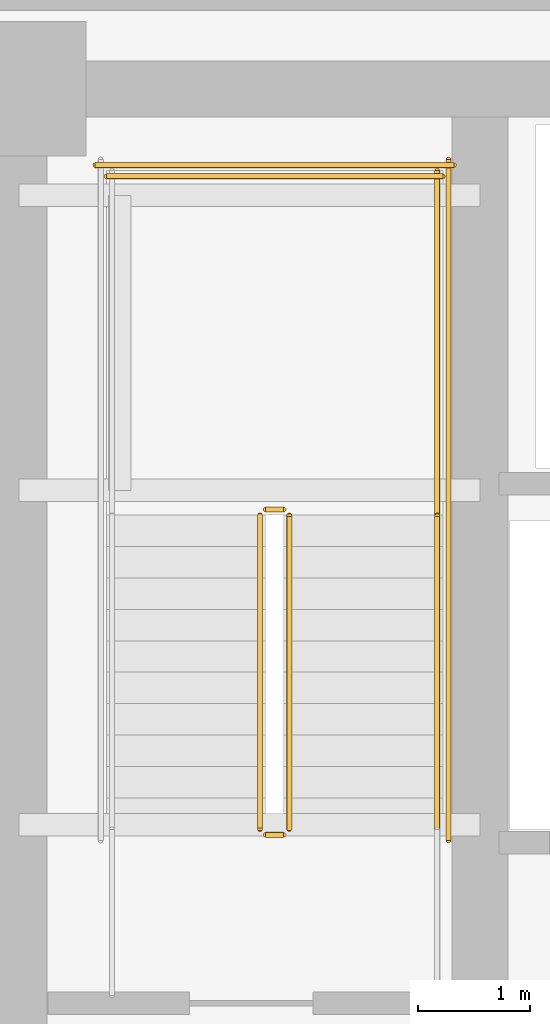
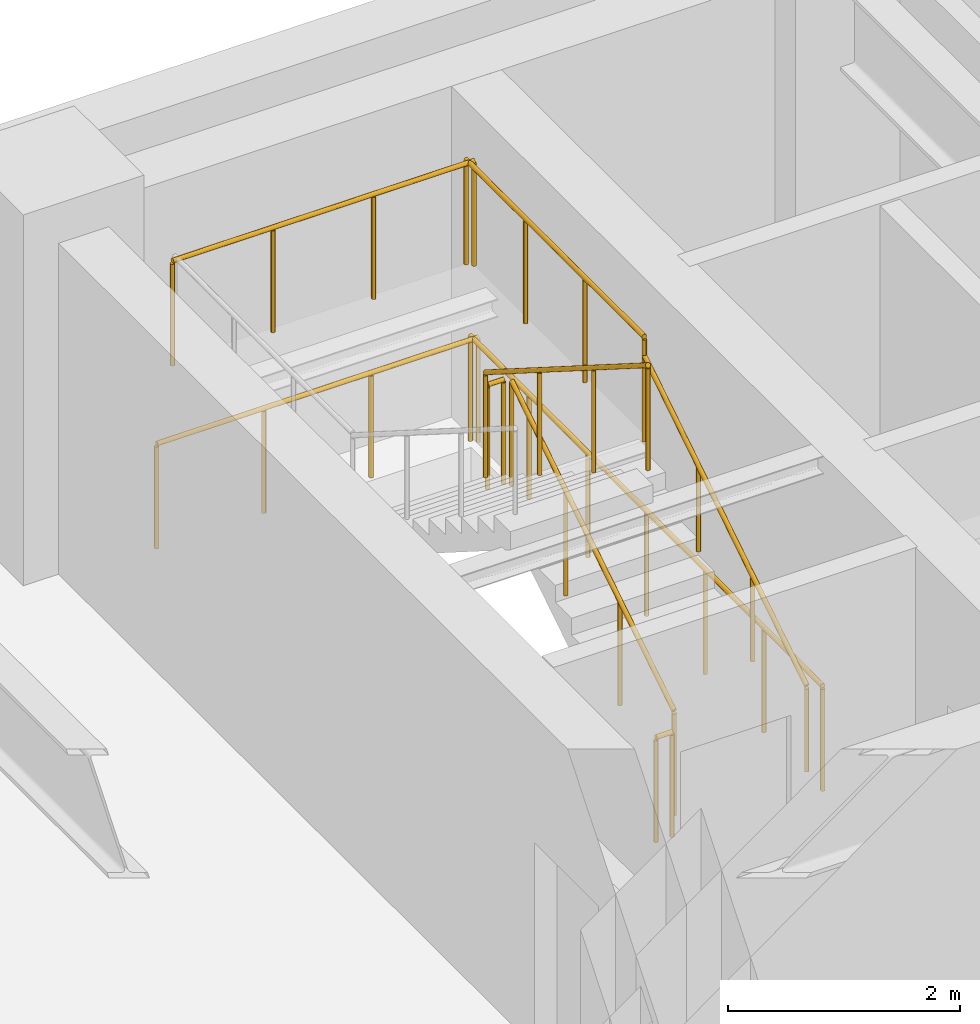
# One storey, part 5 of 7: 9 railings.
"""IFC4 building model written with IfcOpenShell, lengths in metres."""

from ifc_helpers import new_model, si_unit, direction, frame, origin, origin_2d, place, context, subcontext, project, spatial, circle, extrude, material, layer, layer_set, type_object, element, save


model = new_model("IFC4")

# Units and contexts
model_context = context("Model", 3, precision=1e-05, world=origin(), true_north=direction((0.0, 1.0)))
body_context = subcontext(model_context, "Body", "Model", "MODEL_VIEW")
ifc_project = project(units=[si_unit("LENGTHUNIT", "METRE"), si_unit("AREAUNIT", "SQUARE_METRE"), si_unit("VOLUMEUNIT", "CUBIC_METRE"), si_unit("PLANEANGLEUNIT", "RADIAN"), si_unit("MASSUNIT", "GRAM", prefix="KILO")], contexts=[model_context])

# Site, building, storey
site_placement = place(None, origin())
site = spatial("IfcSite", under=ifc_project, at=site_placement, CompositionType="ELEMENT")
building_placement = place(site_placement, origin())
building = spatial("IfcBuilding", under=site, at=building_placement, Name="Yelkora Congress Tower", CompositionType="ELEMENT")
storey_placement = place(building_placement, frame((0.0, 0.0, 85.800048828125)))
storey = spatial("IfcBuildingStorey", under=building, at=storey_placement, Name="L22", CompositionType="ELEMENT", Elevation=85.800048828125)

# Railings
ifc_material_1 = material(Name="Painted galvanised steel stair well guard with vertical infill", Category="steel")
ifc_layer_1 = layer(ifc_material_1, 0.06005859375)
ifc_layer_set_1 = layer_set([ifc_layer_1], Name="Painted galvanised steel stair well guard with vertical infill")
railing_type_1 = type_object("IfcRailingType", Name="RAIL-STAIR-GUARD-1120", PredefinedType="GUARDRAIL", material=ifc_layer_set_1)
railing_1_placement = place(storey_placement, frame((25.449951171875, 39.60009765625, 0.17724609375)))
element("IfcRailing", 1, at=railing_1_placement, inside=storey, type_object=railing_type_1, Name="ST-01 L22 Stair Well Guardrail 1", PredefinedType="GUARDRAIL", context=body_context, shape_type="SweptSolid", body=[
    extrude(circle(Radius=0.02392578125, at=origin_2d()), frame((0.0, 0.0, 1.09619140625), z_axis=(0.0, 0.844887892834, 0.53494340686), x_axis=(-1.0, 0.0, 0.0)), (0.0, 0.0, 1.0), 3.313720703125),
    extrude(circle(Radius=0.02099609375, at=origin_2d()), origin(), (0.0, 0.0, 1.0), 1.072021484375),
    extrude(circle(Radius=0.02099609375, at=origin_2d()), frame((0.0, 0.933349609375, 0.5908203125)), (0.0, 0.0, 1.0), 1.072021484375),
    extrude(circle(Radius=0.02099609375, at=origin_2d()), frame((0.0, 1.866455078125, 1.181884765625)), (0.0, 0.0, 1.0), 1.072021484375),
    extrude(circle(Radius=0.02099609375, at=origin_2d()), frame((0.0, 2.7998046875, 1.772705078125)), (0.0, 0.0, 1.0), 1.072021484375),
])
railing_2_placement = place(storey_placement, frame((25.39990234375, 42.449951171875, 1.949951171875)))
element("IfcRailing", 2, at=railing_2_placement, inside=storey, type_object=railing_type_1, Name="ST-01 L22 Stair Well Guardrail 2", PredefinedType="GUARDRAIL", context=body_context, shape_type="SweptSolid", body=[
    extrude(circle(Radius=0.02392578125, at=origin_2d()), frame((0.0, 0.0, 1.09619140625), z_axis=(-1.0, 0.0, 0.0), x_axis=(0.0, -1.0, 0.0)), (0.0, 0.0, 1.0), 0.159912109375),
    extrude(circle(Radius=0.02099609375, at=origin_2d()), origin(), (0.0, 0.0, 1.0), 1.072021484375),
    extrude(circle(Radius=0.02099609375, at=origin_2d()), frame((-0.159912109375, 0.0, 0.0)), (0.0, 0.0, 1.0), 1.072021484375),
])
railing_3_placement = place(storey_placement, frame((26.77001953125, 42.39990234375, 1.949951171875)))
element("IfcRailing", 3, at=railing_3_placement, inside=storey, type_object=railing_type_1, Name="ST-01 L22 Stair Well Guardrail 3", PredefinedType="GUARDRAIL", context=body_context, shape_type="SweptSolid", body=[
    extrude(circle(Radius=0.02392578125, at=origin_2d()), frame((0.0, 0.0, 1.09619140625), z_axis=(0.0, 1.0, 0.0), x_axis=(-1.0, 0.0, 0.0)), (0.0, 0.0, 1.0), 3.070068359375),
    extrude(circle(Radius=0.02099609375, at=origin_2d()), origin(), (0.0, 0.0, 1.0), 1.072021484375),
    extrude(circle(Radius=0.02099609375, at=origin_2d()), frame((0.0, 1.0234375, 0.0)), (0.0, 0.0, 1.0), 1.072021484375),
    extrude(circle(Radius=0.02099609375, at=origin_2d()), frame((0.0, 2.046630859375, 0.0)), (0.0, 0.0, 1.0), 1.072021484375),
    extrude(circle(Radius=0.02099609375, at=origin_2d()), frame((0.0, 3.070068359375, 0.0)), (0.0, 0.0, 1.0), 1.072021484375),
])
railing_4_placement = place(storey_placement, frame((26.820068359375, 45.419921875, 1.949951171875)))
element("IfcRailing", 4, at=railing_4_placement, inside=storey, type_object=railing_type_1, Name="ST-01 L22 Stair Well Guardrail 5", PredefinedType="GUARDRAIL", context=body_context, shape_type="SweptSolid", body=[
    extrude(circle(Radius=0.02392578125, at=origin_2d()), frame((0.0, 0.0, 1.09619140625), z_axis=(-1.0, 0.0, 0.0), x_axis=(0.0, -1.0, 0.0)), (0.0, 0.0, 1.0), 3.0),
    extrude(circle(Radius=0.02099609375, at=origin_2d()), origin(), (0.0, 0.0, 1.0), 1.072021484375),
    extrude(circle(Radius=0.02099609375, at=origin_2d()), frame((-1.0, 0.0, 0.0)), (0.0, 0.0, 1.0), 1.072021484375),
    extrude(circle(Radius=0.02099609375, at=origin_2d()), frame((-2.0, 0.0, 0.0)), (0.0, 0.0, 1.0), 1.072021484375),
    extrude(circle(Radius=0.02099609375, at=origin_2d()), frame((-3.0, 0.0, 0.0)), (0.0, 0.0, 1.0), 1.072021484375),
])
railing_5_placement = place(storey_placement, frame((25.18994140625, 42.39990234375, 2.127197265625)))
element("IfcRailing", 5, at=railing_5_placement, inside=storey, type_object=railing_type_1, Name="ST-01 L22 Stair Well Guardrail 6", PredefinedType="GUARDRAIL", context=body_context, shape_type="SweptSolid", body=[
    extrude(circle(Radius=0.02392578125, at=origin_2d()), frame((0.0, 0.0, 1.09619140625), z_axis=(0.0, -0.844887892834, 0.53494340686), x_axis=(1.0, 0.0, 0.0)), (0.0, 0.0, 1.0), 3.313720703125),
    extrude(circle(Radius=0.02099609375, at=origin_2d()), origin(), (0.0, 0.0, 1.0), 1.072021484375),
    extrude(circle(Radius=0.02099609375, at=origin_2d()), frame((0.0, -0.933349609375, 0.5908203125)), (0.0, 0.0, 1.0), 1.072021484375),
    extrude(circle(Radius=0.02099609375, at=origin_2d()), frame((0.0, -1.866455078125, 1.181884765625)), (0.0, 0.0, 1.0), 1.072021484375),
    extrude(circle(Radius=0.02099609375, at=origin_2d()), frame((0.0, -2.7998046875, 1.772705078125)), (0.0, 0.0, 1.0), 1.072021484375),
])
railing_6_placement = place(storey_placement, frame((25.39990234375, 39.550048828125, 0.0)))
element("IfcRailing", 6, at=railing_6_placement, inside=storey, type_object=railing_type_1, Name="ST-01 L22 Stair Well Guardrail 7", PredefinedType="GUARDRAIL", context=body_context, shape_type="SweptSolid", body=[
    extrude(circle(Radius=0.02392578125, at=origin_2d()), frame((0.0, 0.0, 1.09619140625), z_axis=(-1.0, 0.0, 0.0), x_axis=(0.0, -1.0, 0.0)), (0.0, 0.0, 1.0), 0.159912109375),
    extrude(circle(Radius=0.02099609375, at=origin_2d()), origin(), (0.0, 0.0, 1.0), 1.072021484375),
    extrude(circle(Radius=0.02099609375, at=origin_2d()), frame((-0.159912109375, 0.0, 0.0)), (0.0, 0.0, 1.0), 1.072021484375),
])
railing_7_placement = place(storey_placement, frame((26.8701171875, 39.5, 0.0)))
element("IfcRailing", 7, at=railing_7_placement, inside=storey, type_object=railing_type_1, Name="ST-01 L22 Stair Well Guardrail 10", PredefinedType="GUARDRAIL", context=body_context, shape_type="SweptSolid", body=[
    extrude(circle(Radius=0.02392578125, at=origin_2d()), frame((0.0, 0.0, 1.09619140625), z_axis=(0.0, 1.0, 0.0), x_axis=(-1.0, 0.0, 0.0)), (0.0, 0.0, 1.0), 6.070068359375),
    extrude(circle(Radius=0.02099609375, at=origin_2d()), origin(), (0.0, 0.0, 1.0), 1.072021484375),
    extrude(circle(Radius=0.02099609375, at=origin_2d()), frame((0.0, 1.01171875, 0.0)), (0.0, 0.0, 1.0), 1.072021484375),
    extrude(circle(Radius=0.02099609375, at=origin_2d()), frame((0.0, 2.0234375, 0.0)), (0.0, 0.0, 1.0), 1.072021484375),
    extrude(circle(Radius=0.02099609375, at=origin_2d()), frame((0.0, 3.03515625, 0.0)), (0.0, 0.0, 1.0), 1.072021484375),
    extrude(circle(Radius=0.02099609375, at=origin_2d()), frame((0.0, 4.046630859375, 0.0)), (0.0, 0.0, 1.0), 1.072021484375),
    extrude(circle(Radius=0.02099609375, at=origin_2d()), frame((0.0, 5.058349609375, 0.0)), (0.0, 0.0, 1.0), 1.072021484375),
    extrude(circle(Radius=0.02099609375, at=origin_2d()), frame((0.0, 6.070068359375, 0.0)), (0.0, 0.0, 1.0), 1.072021484375),
])
railing_8_placement = place(storey_placement, frame((26.919921875, 45.52001953125, 0.0)))
element("IfcRailing", 8, at=railing_8_placement, inside=storey, type_object=railing_type_1, Name="ST-01 L22 Stair Well Guardrail 12", PredefinedType="GUARDRAIL", context=body_context, shape_type="SweptSolid", body=[
    extrude(circle(Radius=0.02392578125, at=origin_2d()), frame((0.0, 0.0, 1.09619140625), z_axis=(-1.0, 0.0, 0.0), x_axis=(0.0, -1.0, 0.0)), (0.0, 0.0, 1.0), 3.199951171875),
    extrude(circle(Radius=0.02099609375, at=origin_2d()), origin(), (0.0, 0.0, 1.0), 1.072021484375),
    extrude(circle(Radius=0.02099609375, at=origin_2d()), frame((-1.066650390625, 0.0, 0.0)), (0.0, 0.0, 1.0), 1.072021484375),
    extrude(circle(Radius=0.02099609375, at=origin_2d()), frame((-2.13330078125, 0.0, 0.0)), (0.0, 0.0, 1.0), 1.072021484375),
    extrude(circle(Radius=0.02099609375, at=origin_2d()), frame((-3.199951171875, 0.0, 0.0)), (0.0, 0.0, 1.0), 1.072021484375),
])
ifc_material_2 = material(Name="Brushed stainless steel tubular handrail", Category="steel")
ifc_layer_2 = layer(ifc_material_2, 0.050048828125)
ifc_layer_set_2 = layer_set([ifc_layer_2], Name="Brushed stainless steel tubular handrail")
railing_type_2 = type_object("IfcRailingType", Name="RAIL-STAIR-HAND-920", PredefinedType="HANDRAIL", material=ifc_layer_set_2)
railing_9_placement = place(storey_placement, frame((26.77001953125, 39.60009765625, 0.17724609375)))
element("IfcRailing", 9, at=railing_9_placement, inside=storey, type_object=railing_type_2, Name="ST-01 L22 Pitch Handrail 1", PredefinedType="HANDRAIL", context=body_context, shape_type="SweptSolid", body=[
    extrude(circle(Radius=0.02392578125, at=origin_2d()), frame((0.0, 0.0, 0.89599609375), z_axis=(0.0, 0.844887892834, 0.53494340686), x_axis=(-1.0, 0.0, 0.0)), (0.0, 0.0, 1.0), 3.313720703125),
    extrude(circle(Radius=0.02099609375, at=origin_2d()), origin(), (0.0, 0.0, 1.0), 0.871826171875),
    extrude(circle(Radius=0.02099609375, at=origin_2d()), frame((0.0, 0.933349609375, 0.5908203125)), (0.0, 0.0, 1.0), 0.871826171875),
    extrude(circle(Radius=0.02099609375, at=origin_2d()), frame((0.0, 1.866455078125, 1.181884765625)), (0.0, 0.0, 1.0), 0.871826171875),
    extrude(circle(Radius=0.02099609375, at=origin_2d()), frame((0.0, 2.7998046875, 1.772705078125)), (0.0, 0.0, 1.0), 0.871826171875),
])

save(model, "model.ifc")
